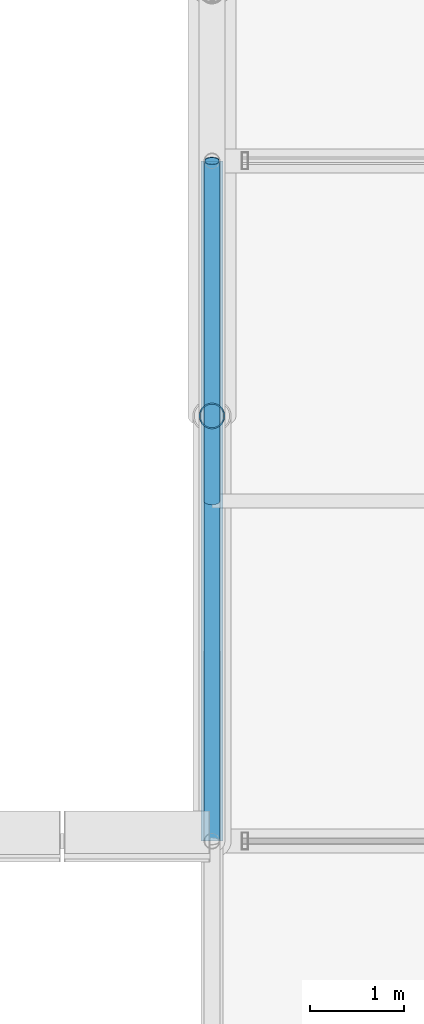
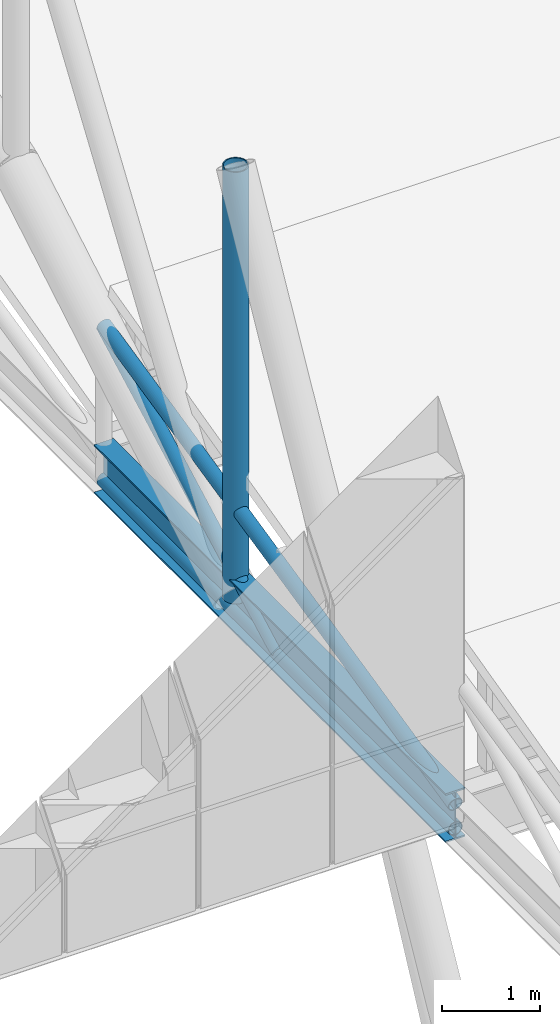
# One storey, part 28 of 144: 4 members, 1 beam.
"""IFC4 building model written with IfcOpenShell, lengths in metres."""

import ifcopenshell
import ifcopenshell.guid

model = None  # the IFC model being written
_history = None  # IfcOwnerHistory: only IFC2X3 demands one
_inside = {}  # id of a spatial element -> (the spatial element, [elements in it])
_under = {}  # id of a project, library or spatial element -> (it, [spatial elements below it])
_declared = {}  # id of a project -> (the project, [libraries it declares])
_typed = {}  # id of a type object -> (the type object, [elements of that type])
_made_of = {}  # id of a material, layer set ... -> (it, [elements and type objects made of it])


def new_model(schema):
    """Start an empty IFC model of exactly this schema.

    Asked for "IFC4X3", IfcOpenShell would pick the latest addendum, in which some entities
    have other attributes; the version numbers below select the first issue.
    IFC2X3 requires an IfcOwnerHistory on every rooted entity: one is made here for all.
    """
    global model, _history
    if schema == "IFC4X3":
        model = ifcopenshell.file(schema_version=(4, 3, 0, 0))
    else:
        model = ifcopenshell.file(schema=schema)
    _inside.clear()
    _under.clear()
    _declared.clear()
    _typed.clear()
    _made_of.clear()
    _history = None
    if model.schema == "IFC2X3":
        org = make("IfcOrganization", Name="unknown")
        user = make(
            "IfcPersonAndOrganization",
            ThePerson=make("IfcPerson", FamilyName="unknown"),
            TheOrganization=org,
        )
        app = make(
            "IfcApplication",
            ApplicationDeveloper=org,
            Version="unknown",
            ApplicationFullName="unknown",
            ApplicationIdentifier="unknown",
        )
        _history = make(
            "IfcOwnerHistory",
            OwningUser=user,
            OwningApplication=app,
            ChangeAction="ADDED",
            CreationDate=0,
        )
    return model


def make(cls, **values):
    """One entity of the class cls with the attributes given. An attribute that is None is left unset."""
    return model.create_entity(
        cls, **{name: value for name, value in values.items() if value is not None}
    )


def rooted(cls, **values):
    """An entity with a GlobalId (a new one), such as an element, a storey or a relation."""
    return make(cls, GlobalId=ifcopenshell.guid.new(), OwnerHistory=_history, **values)


def si_unit(unit_type, name, prefix=None):
    """IfcSIUnit, for example si_unit("LENGTHUNIT", "METRE", prefix="MILLI")."""
    return make("IfcSIUnit", UnitType=unit_type, Prefix=prefix, Name=name)


def assignment(units):
    """IfcUnitAssignment: the units of a project."""
    return None if units is None else make("IfcUnitAssignment", Units=units)


def point(xyz):
    """IfcCartesianPoint."""
    return None if xyz is None else make("IfcCartesianPoint", Coordinates=xyz)


def direction(xyz):
    """IfcDirection."""
    return None if xyz is None else make("IfcDirection", DirectionRatios=xyz)


def frame(location, z_axis=None, x_axis=None):
    """IfcAxis2Placement3D, a coordinate frame: its origin and axes. An axis left out is left unset."""
    return make(
        "IfcAxis2Placement3D",
        Location=point(location),
        Axis=direction(z_axis),
        RefDirection=direction(x_axis),
    )


def frame_2d(location, x_axis=None):
    """IfcAxis2Placement2D, a coordinate frame in the plane: its origin and x axis."""
    return make(
        "IfcAxis2Placement2D", Location=point(location), RefDirection=direction(x_axis)
    )


def origin():
    """The frame at (0, 0, 0) with its axes left unset."""
    return frame((0.0, 0.0, 0.0))


def origin_2d():
    """The frame at (0, 0) in the plane with its x axis left unset."""
    return frame_2d((0.0, 0.0))


def place(relative_to, where):
    """IfcLocalPlacement: puts the frame where relative to a parent placement (None: the world)."""
    return make(
        "IfcLocalPlacement", PlacementRelTo=relative_to, RelativePlacement=where
    )


def context(
    kind, dimensions, precision=None, world=None, true_north=None, identifier=None
):
    """IfcGeometricRepresentationContext, for example the 3D "Model" context."""
    return make(
        "IfcGeometricRepresentationContext",
        ContextIdentifier=identifier,
        ContextType=kind,
        CoordinateSpaceDimension=dimensions,
        Precision=precision,
        WorldCoordinateSystem=world,
        TrueNorth=true_north,
    )


def subcontext(parent, identifier, kind, view, scale=None):
    """IfcGeometricRepresentationSubContext, for example "Body" below "Model"."""
    return make(
        "IfcGeometricRepresentationSubContext",
        ContextIdentifier=identifier,
        ContextType=kind,
        ParentContext=parent,
        TargetScale=scale,
        TargetView=view,
    )


def project(units=None, contexts=None):
    """IfcProject with its units and contexts."""
    return rooted(
        "IfcProject",
        Name="project",
        RepresentationContexts=contexts,
        UnitsInContext=assignment(units),
    )


def spatial(cls, under=None, at=None, **own):
    """A site, building, storey or space (cls), placed at a placement, below another one or the project."""
    s = rooted(cls, ObjectPlacement=at, **own)
    if under is not None:
        _under.setdefault(under.id(), (under, []))[1].append(s)
    return s


def profile(cls, at=None, kind="AREA", **sizes):
    """A parametric profile (cls). Its sizes go by their IFC names, for example OverallWidth=200.0."""
    return make(cls, ProfileType=kind, Position=at, **sizes)


def hollow_circle(**sizes):
    """IfcCircleHollowProfileDef."""
    return profile("IfcCircleHollowProfileDef", **sizes)


def i_section(**sizes):
    """IfcIShapeProfileDef."""
    return profile("IfcIShapeProfileDef", **sizes)


def extrude(swept, where, along, depth):
    """IfcExtrudedAreaSolid: the profile swept, set in the frame where, extruded along a direction by depth."""
    return make(
        "IfcExtrudedAreaSolid",
        SweptArea=swept,
        Position=where,
        ExtrudedDirection=direction(along),
        Depth=depth,
    )


def shape(context_of_items, identifier, shape_type, items):
    """IfcShapeRepresentation: the items that make up one representation, for example the "Body"."""
    return make(
        "IfcShapeRepresentation",
        ContextOfItems=context_of_items,
        RepresentationIdentifier=identifier,
        RepresentationType=shape_type,
        Items=items,
    )


def material(Name=None, Category=None):
    """IfcMaterial."""
    return make("IfcMaterial", Name=Name, Category=Category)


def material_profile(
    of_material, cross_section, Name=None, Category=None, Priority=None
):
    """IfcMaterialProfile: a cross section and its material."""
    return make(
        "IfcMaterialProfile",
        Name=Name,
        Material=of_material,
        Profile=cross_section,
        Priority=Priority,
        Category=Category,
    )


def profile_set(profiles, Name=None, composite=None):
    """IfcMaterialProfileSet."""
    return make(
        "IfcMaterialProfileSet",
        Name=Name,
        MaterialProfiles=profiles,
        CompositeProfile=composite,
    )


def made_of(thing, what):
    """Note that an element or type object is made of a material, layer set ...; save() writes the relation."""
    if what is not None:
        _made_of.setdefault(what.id(), (what, []))[1].append(thing)
    return thing


def type_object(cls, material=None, **own):
    """A type object (cls), such as IfcWallType, which elements share."""
    return made_of(rooted(cls, **own), material)


def element(
    cls,
    number,
    at=None,
    inside=None,
    cuts=None,
    type_object=None,
    material=None,
    context=None,
    identifier="Body",
    shape_type=None,
    held_by="IfcProductDefinitionShape",
    body=None,
    shapes=None,
    **own,
):
    """One element of the class cls, such as IfcWall. Its Tag is "e" and its number.

    at: its placement. inside: the storey or other place that contains it. cuts: it is an
    opening in that element (IfcRelVoidsElement). A single representation is given by context,
    identifier, shape_type and body (its items); several are given by shapes. held_by: the class
    of the entity that holds the representations. save() writes the other relations.
    """
    e = rooted(cls, Tag="e%d" % number, ObjectPlacement=at, **own)
    if body is not None:
        shapes = [shape(context, identifier, shape_type, body)]
    if shapes is not None:
        e.Representation = make(held_by, Representations=shapes)
    if inside is not None:
        _inside.setdefault(inside.id(), (inside, []))[1].append(e)
    if cuts is not None:
        rooted(
            "IfcRelVoidsElement", RelatingBuildingElement=cuts, RelatedOpeningElement=e
        )
    if type_object is not None:
        _typed.setdefault(type_object.id(), (type_object, []))[1].append(e)
    return made_of(e, material)


def aggregate(whole, parts):
    """IfcRelAggregates: a whole, such as a stair, and the parts it consists of."""
    return rooted("IfcRelAggregates", RelatingObject=whole, RelatedObjects=parts)


def save(model, path):
    """Write the relations noted so far, then the file.

    IfcRelAggregates (storeys below a building ...), IfcRelContainedInSpatialStructure (elements
    in a storey), IfcRelDefinesByType, IfcRelAssociatesMaterial and IfcRelDeclares: one each for
    every whole, place, type object, material and project.
    """
    for whole, parts in _under.values():
        aggregate(whole, parts)
    for where, things in _inside.values():
        rooted(
            "IfcRelContainedInSpatialStructure",
            RelatedElements=things,
            RelatingStructure=where,
        )
    for kind, things in _typed.values():
        rooted("IfcRelDefinesByType", RelatedObjects=things, RelatingType=kind)
    for what, things in _made_of.values():
        rooted("IfcRelAssociatesMaterial", RelatedObjects=things, RelatingMaterial=what)
    for by, libraries in _declared.values():
        rooted("IfcRelDeclares", RelatingContext=by, RelatedDefinitions=libraries)
    model.write(path)


model = new_model("IFC4")

# Units and contexts
model_context = context("Model", 3, precision=1e-05, world=origin(), true_north=direction((0.0, 1.0)))
body_context = subcontext(model_context, "Body", "Model", "MODEL_VIEW")
ifc_project = project(units=[si_unit("LENGTHUNIT", "METRE"), si_unit("AREAUNIT", "SQUARE_METRE"), si_unit("VOLUMEUNIT", "CUBIC_METRE"), si_unit("PLANEANGLEUNIT", "RADIAN"), si_unit("MASSUNIT", "GRAM", prefix="KILO")], contexts=[model_context])

# Site, building, storey
site_placement = place(None, origin())
site = spatial("IfcSite", under=ifc_project, at=site_placement, CompositionType="ELEMENT")
building_placement = place(site_placement, origin())
building = spatial("IfcBuilding", under=site, at=building_placement, Name="Yarey Park Central Fire Station", CompositionType="ELEMENT")
storey_placement = place(building_placement, frame((0.0, 0.0, 10.199951171875)))
storey = spatial("IfcBuildingStorey", under=building, at=storey_placement, Name="L03", CompositionType="ELEMENT", Elevation=10.199951171875)

# Beam
ifc_material_1 = material(Name="Steel ASTM A992 Gr. 50", Category="steel")
ifc_material_profile_1 = material_profile(ifc_material_1, i_section(OverallWidth=0.22900390625, OverallDepth=0.612060546875, WebThickness=0.011962890625, FlangeThickness=0.01953125, at=origin_2d()), Name="W610x125")
ifc_profile_set_1 = profile_set([ifc_material_profile_1], Name="Steel ASTM A992 Gr. 50")
beam_type = type_object("IfcBeamType", Name="STR_BM_W610", PredefinedType="BEAM", material=ifc_profile_set_1)
beam_placement = place(storey_placement, frame((136.800048828125, 57.60009765625, -0.48583984375), z_axis=(0.0, 1.0, 0.0), x_axis=(-1.0, 0.0, 0.0)))
element("IfcBeam", 1, at=beam_placement, inside=storey, type_object=beam_type, Name="BMY L03 X1368 Y576", PredefinedType="BEAM", context=body_context, shape_type="SweptSolid", body=[
    extrude(i_section(OverallWidth=0.22900390625, OverallDepth=0.612060546875, WebThickness=0.011962890625, FlangeThickness=0.01953125, at=origin_2d()), origin(), (0.0, 0.0, 1.0), 7.199951171875),
])

# Members
ifc_material_2 = material(Name="Steel ASTM A500 Gr. C", Category="steel")
ifc_material_profile_2 = material_profile(ifc_material_2, hollow_circle(Radius=0.084228515625, WallThickness=0.008056640625, at=origin_2d()), Name="CHS 168.3x8")
ifc_profile_set_2 = profile_set([ifc_material_profile_2], Name="Steel ASTM A500 Gr. C")
member_type_1 = type_object("IfcMemberType", Name="STR_CHORD_CHS168", PredefinedType="CHORD", material=ifc_profile_set_2)
member_1_placement = place(storey_placement, frame((136.800048828125, 57.60009765625, -0.64990234375), z_axis=(0.0, 1.0, 0.0), x_axis=(-1.0, 0.0, 0.0)))
element("IfcMember", 2, at=member_1_placement, inside=storey, type_object=member_type_1, Name="SAW_T1_B3_BC", PredefinedType="CHORD", context=body_context, shape_type="SweptSolid", body=[
    extrude(hollow_circle(Radius=0.084228515625, WallThickness=0.008056640625, at=origin_2d()), origin(), (0.0, 0.0, 1.0), 7.199951171875),
])
member_2_placement = place(storey_placement, frame((136.800048828125, 57.60009765625, -0.349853515625), z_axis=(0.0, 0.975464150349, 0.220158332533), x_axis=(-1.0, 0.0, 0.0)))
element("IfcMember", 3, at=member_2_placement, inside=storey, type_object=member_type_1, Name="SAW_T1_B3_TC", PredefinedType="CHORD", context=body_context, shape_type="SweptSolid", body=[
    extrude(hollow_circle(Radius=0.084228515625, WallThickness=0.008056640625, at=origin_2d()), origin(), (0.0, 0.0, 1.0), 7.381103515625),
])
ifc_material_profile_3 = material_profile(ifc_material_2, hollow_circle(Radius=0.084228515625, WallThickness=0.008056640625, at=origin_2d()), Name="CHS 168.3x8")
ifc_profile_set_3 = profile_set([ifc_material_profile_3], Name="Steel ASTM A500 Gr. C")
member_type_2 = type_object("IfcMemberType", Name="STR_WEB_CHS168", PredefinedType="BRACE", material=ifc_profile_set_3)
member_3_placement = place(storey_placement, frame((136.800048828125, 61.199951171875, -0.64990234375), z_axis=(0.0, 0.881844210833, 0.471540865483), x_axis=(-1.0, 0.0, 0.0)))
element("IfcMember", 4, at=member_3_placement, inside=storey, type_object=member_type_2, Name="SAW_T1_B3_DG", PredefinedType="BRACE", context=body_context, shape_type="SweptSolid", body=[
    extrude(hollow_circle(Radius=0.084228515625, WallThickness=0.008056640625, at=origin_2d()), origin(), (0.0, 0.0, 1.0), 4.08251953125),
])
ifc_material_profile_4 = material_profile(ifc_material_2, hollow_circle(Radius=0.136474609375, WallThickness=0.012451171875, at=origin_2d()), Name="CHS 273x12.5")
ifc_profile_set_4 = profile_set([ifc_material_profile_4], Name="Steel ASTM A500 Gr. C")
member_type_3 = type_object("IfcMemberType", Name="STR_WEB_CHS273", PredefinedType="BRACE", material=ifc_profile_set_4)
member_4_placement = place(storey_placement, frame((136.800048828125, 62.10009765625, -0.481201171875), z_axis=(0.0, 0.0, 1.0), x_axis=(1.0, 0.0, 0.0)))
element("IfcMember", 5, at=member_4_placement, inside=storey, type_object=member_type_3, Name="Arched Roof Truss ART_12 Vertical 2", PredefinedType="BRACE", context=body_context, shape_type="SweptSolid", body=[
    extrude(hollow_circle(Radius=0.136474609375, WallThickness=0.012451171875, at=origin_2d()), origin(), (0.0, 0.0, 1.0), 5.398681640625),
])

save(model, "model.ifc")
